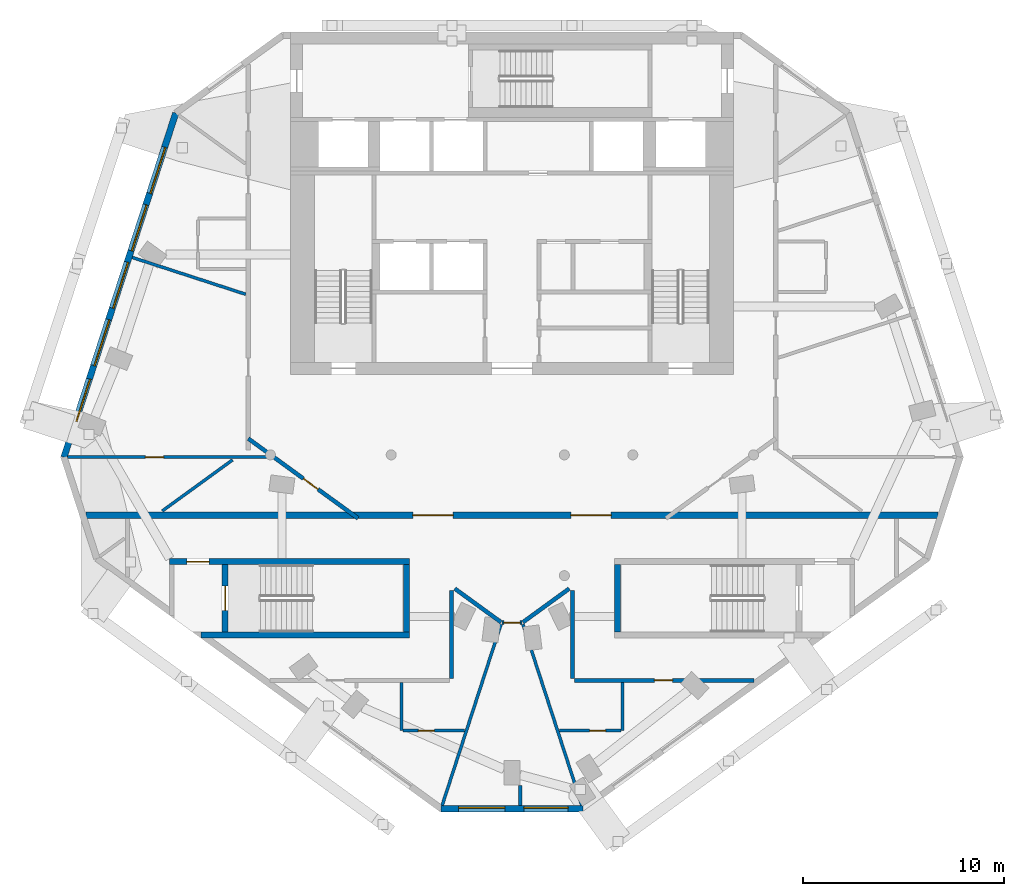
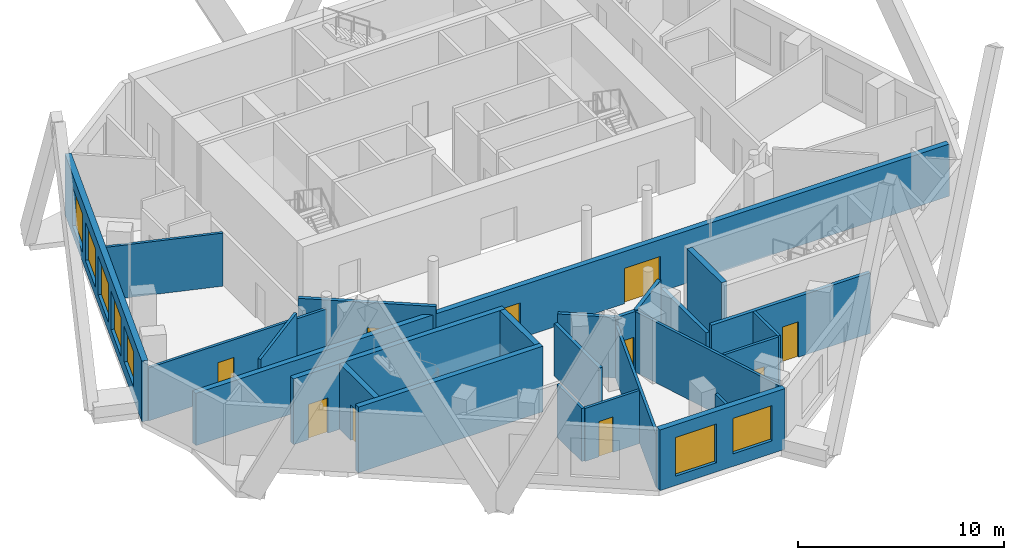
# One storey, part 3 of 8: 25 walls, 10 doors, 7 windows, 17 openings.
"""IFC4 building model written with IfcOpenShell, lengths in metres."""

import ifcopenshell
import ifcopenshell.guid

model = None  # the IFC model being written
_history = None  # IfcOwnerHistory: only IFC2X3 demands one
_inside = {}  # id of a spatial element -> (the spatial element, [elements in it])
_under = {}  # id of a project, library or spatial element -> (it, [spatial elements below it])
_declared = {}  # id of a project -> (the project, [libraries it declares])
_typed = {}  # id of a type object -> (the type object, [elements of that type])
_made_of = {}  # id of a material, layer set ... -> (it, [elements and type objects made of it])


def new_model(schema):
    """Start an empty IFC model of exactly this schema.

    Asked for "IFC4X3", IfcOpenShell would pick the latest addendum, in which some entities
    have other attributes; the version numbers below select the first issue.
    IFC2X3 requires an IfcOwnerHistory on every rooted entity: one is made here for all.
    """
    global model, _history
    if schema == "IFC4X3":
        model = ifcopenshell.file(schema_version=(4, 3, 0, 0))
    else:
        model = ifcopenshell.file(schema=schema)
    _inside.clear()
    _under.clear()
    _declared.clear()
    _typed.clear()
    _made_of.clear()
    _history = None
    if model.schema == "IFC2X3":
        org = make("IfcOrganization", Name="unknown")
        user = make(
            "IfcPersonAndOrganization",
            ThePerson=make("IfcPerson", FamilyName="unknown"),
            TheOrganization=org,
        )
        app = make(
            "IfcApplication",
            ApplicationDeveloper=org,
            Version="unknown",
            ApplicationFullName="unknown",
            ApplicationIdentifier="unknown",
        )
        _history = make(
            "IfcOwnerHistory",
            OwningUser=user,
            OwningApplication=app,
            ChangeAction="ADDED",
            CreationDate=0,
        )
    return model


def make(cls, **values):
    """One entity of the class cls with the attributes given. An attribute that is None is left unset."""
    return model.create_entity(
        cls, **{name: value for name, value in values.items() if value is not None}
    )


def rooted(cls, **values):
    """An entity with a GlobalId (a new one), such as an element, a storey or a relation."""
    return make(cls, GlobalId=ifcopenshell.guid.new(), OwnerHistory=_history, **values)


def si_unit(unit_type, name, prefix=None):
    """IfcSIUnit, for example si_unit("LENGTHUNIT", "METRE", prefix="MILLI")."""
    return make("IfcSIUnit", UnitType=unit_type, Prefix=prefix, Name=name)


def assignment(units):
    """IfcUnitAssignment: the units of a project."""
    return None if units is None else make("IfcUnitAssignment", Units=units)


def point(xyz):
    """IfcCartesianPoint."""
    return None if xyz is None else make("IfcCartesianPoint", Coordinates=xyz)


def direction(xyz):
    """IfcDirection."""
    return None if xyz is None else make("IfcDirection", DirectionRatios=xyz)


def frame(location, z_axis=None, x_axis=None):
    """IfcAxis2Placement3D, a coordinate frame: its origin and axes. An axis left out is left unset."""
    return make(
        "IfcAxis2Placement3D",
        Location=point(location),
        Axis=direction(z_axis),
        RefDirection=direction(x_axis),
    )


def frame_2d(location, x_axis=None):
    """IfcAxis2Placement2D, a coordinate frame in the plane: its origin and x axis."""
    return make(
        "IfcAxis2Placement2D", Location=point(location), RefDirection=direction(x_axis)
    )


def origin():
    """The frame at (0, 0, 0) with its axes left unset."""
    return frame((0.0, 0.0, 0.0))


def place(relative_to, where):
    """IfcLocalPlacement: puts the frame where relative to a parent placement (None: the world)."""
    return make(
        "IfcLocalPlacement", PlacementRelTo=relative_to, RelativePlacement=where
    )


def context(
    kind, dimensions, precision=None, world=None, true_north=None, identifier=None
):
    """IfcGeometricRepresentationContext, for example the 3D "Model" context."""
    return make(
        "IfcGeometricRepresentationContext",
        ContextIdentifier=identifier,
        ContextType=kind,
        CoordinateSpaceDimension=dimensions,
        Precision=precision,
        WorldCoordinateSystem=world,
        TrueNorth=true_north,
    )


def subcontext(parent, identifier, kind, view, scale=None):
    """IfcGeometricRepresentationSubContext, for example "Body" below "Model"."""
    return make(
        "IfcGeometricRepresentationSubContext",
        ContextIdentifier=identifier,
        ContextType=kind,
        ParentContext=parent,
        TargetScale=scale,
        TargetView=view,
    )


def project(units=None, contexts=None):
    """IfcProject with its units and contexts."""
    return rooted(
        "IfcProject",
        Name="project",
        RepresentationContexts=contexts,
        UnitsInContext=assignment(units),
    )


def spatial(cls, under=None, at=None, **own):
    """A site, building, storey or space (cls), placed at a placement, below another one or the project."""
    s = rooted(cls, ObjectPlacement=at, **own)
    if under is not None:
        _under.setdefault(under.id(), (under, []))[1].append(s)
    return s


def profile(cls, at=None, kind="AREA", **sizes):
    """A parametric profile (cls). Its sizes go by their IFC names, for example OverallWidth=200.0."""
    return make(cls, ProfileType=kind, Position=at, **sizes)


def rectangle(**sizes):
    """IfcRectangleProfileDef."""
    return profile("IfcRectangleProfileDef", **sizes)


def extrude(swept, where, along, depth):
    """IfcExtrudedAreaSolid: the profile swept, set in the frame where, extruded along a direction by depth."""
    return make(
        "IfcExtrudedAreaSolid",
        SweptArea=swept,
        Position=where,
        ExtrudedDirection=direction(along),
        Depth=depth,
    )


def shape(context_of_items, identifier, shape_type, items):
    """IfcShapeRepresentation: the items that make up one representation, for example the "Body"."""
    return make(
        "IfcShapeRepresentation",
        ContextOfItems=context_of_items,
        RepresentationIdentifier=identifier,
        RepresentationType=shape_type,
        Items=items,
    )


def material(Name=None, Category=None):
    """IfcMaterial."""
    return make("IfcMaterial", Name=Name, Category=Category)


def layer(
    of_material, thickness, ventilated=None, Name=None, Category=None, Priority=None
):
    """IfcMaterialLayer: one layer of a wall or slab, of a material (None: an air gap)."""
    return make(
        "IfcMaterialLayer",
        Material=of_material,
        LayerThickness=thickness,
        IsVentilated=ventilated,
        Name=Name,
        Category=Category,
        Priority=Priority,
    )


def layer_set(layers, Name=None):
    """IfcMaterialLayerSet."""
    return make("IfcMaterialLayerSet", MaterialLayers=layers, LayerSetName=Name)


def made_of(thing, what):
    """Note that an element or type object is made of a material, layer set ...; save() writes the relation."""
    if what is not None:
        _made_of.setdefault(what.id(), (what, []))[1].append(thing)
    return thing


def type_object(cls, material=None, **own):
    """A type object (cls), such as IfcWallType, which elements share."""
    return made_of(rooted(cls, **own), material)


def element(
    cls,
    number,
    at=None,
    inside=None,
    cuts=None,
    type_object=None,
    material=None,
    context=None,
    identifier="Body",
    shape_type=None,
    held_by="IfcProductDefinitionShape",
    body=None,
    shapes=None,
    **own,
):
    """One element of the class cls, such as IfcWall. Its Tag is "e" and its number.

    at: its placement. inside: the storey or other place that contains it. cuts: it is an
    opening in that element (IfcRelVoidsElement). A single representation is given by context,
    identifier, shape_type and body (its items); several are given by shapes. held_by: the class
    of the entity that holds the representations. save() writes the other relations.
    """
    e = rooted(cls, Tag="e%d" % number, ObjectPlacement=at, **own)
    if body is not None:
        shapes = [shape(context, identifier, shape_type, body)]
    if shapes is not None:
        e.Representation = make(held_by, Representations=shapes)
    if inside is not None:
        _inside.setdefault(inside.id(), (inside, []))[1].append(e)
    if cuts is not None:
        rooted(
            "IfcRelVoidsElement", RelatingBuildingElement=cuts, RelatedOpeningElement=e
        )
    if type_object is not None:
        _typed.setdefault(type_object.id(), (type_object, []))[1].append(e)
    return made_of(e, material)


def fill(opening, filler):
    """IfcRelFillsElement: the door or window that sits in an opening."""
    return rooted(
        "IfcRelFillsElement",
        RelatingOpeningElement=opening,
        RelatedBuildingElement=filler,
    )


def aggregate(whole, parts):
    """IfcRelAggregates: a whole, such as a stair, and the parts it consists of."""
    return rooted("IfcRelAggregates", RelatingObject=whole, RelatedObjects=parts)


def save(model, path):
    """Write the relations noted so far, then the file.

    IfcRelAggregates (storeys below a building ...), IfcRelContainedInSpatialStructure (elements
    in a storey), IfcRelDefinesByType, IfcRelAssociatesMaterial and IfcRelDeclares: one each for
    every whole, place, type object, material and project.
    """
    for whole, parts in _under.values():
        aggregate(whole, parts)
    for where, things in _inside.values():
        rooted(
            "IfcRelContainedInSpatialStructure",
            RelatedElements=things,
            RelatingStructure=where,
        )
    for kind, things in _typed.values():
        rooted("IfcRelDefinesByType", RelatedObjects=things, RelatingType=kind)
    for what, things in _made_of.values():
        rooted("IfcRelAssociatesMaterial", RelatedObjects=things, RelatingMaterial=what)
    for by, libraries in _declared.values():
        rooted("IfcRelDeclares", RelatingContext=by, RelatedDefinitions=libraries)
    model.write(path)


model = new_model("IFC4")

# Units and contexts
model_context = context("Model", 3, precision=1e-05, world=origin(), true_north=direction((0.0, 1.0)))
body_context = subcontext(model_context, "Body", "Model", "MODEL_VIEW")
ifc_project = project(units=[si_unit("LENGTHUNIT", "METRE"), si_unit("AREAUNIT", "SQUARE_METRE"), si_unit("VOLUMEUNIT", "CUBIC_METRE"), si_unit("PLANEANGLEUNIT", "RADIAN"), si_unit("MASSUNIT", "GRAM", prefix="KILO")], contexts=[model_context])

# Site, building, storey
site_placement = place(None, origin())
site = spatial("IfcSite", under=ifc_project, at=site_placement, CompositionType="ELEMENT")
building_placement = place(site_placement, origin())
building = spatial("IfcBuilding", under=site, at=building_placement, Name="White Candle Pilgrim Tower", CompositionType="ELEMENT")
storey_placement = place(building_placement, frame((0.0, 0.0, 306.10009765625)))
storey = spatial("IfcBuildingStorey", under=building, at=storey_placement, Name="L72", CompositionType="ELEMENT", Elevation=306.10009765625)

# Wall, opening, door
ifc_material_1 = material(Name="Gypsum board on steel studs", Category="steel")
ifc_layer_1 = layer(ifc_material_1, 0.199951171875)
ifc_layer_set_1 = layer_set([ifc_layer_1], Name="Corridor wall 200 mm EI 45")
wall_type_1 = type_object("IfcWallType", Name="Corridor wall 200 mm EI 45", PredefinedType="PARTITIONING", material=ifc_layer_set_1)
wall_1_placement = place(storey_placement, frame((62.3486328125, 63.85009765625, 0.0), z_axis=(0.0, 0.0, 1.0), x_axis=(-0.809033820778, 0.587762092038, 0.0)))
wall_1 = element("IfcWall", 1, at=wall_1_placement, inside=storey, type_object=wall_type_1, Name="WL-L72-P003", PredefinedType="PARTITIONING", context=body_context, shape_type="SweptSolid", body=[
    extrude(rectangle(XDim=6.73486328125, YDim=0.199951171875, at=frame_2d((3.367431640625, 0.0))), origin(), (0.0, 0.0, 1.0), 3.599853515625),
])
opening_1_placement = place(wall_1_placement, frame((2.44970703125, 0.0, 0.0)))
opening_1 = element("IfcOpeningElement", 2, at=opening_1_placement, cuts=wall_1, Name="Opening T22-119", PredefinedType="OPENING", context=body_context, shape_type="SweptSolid", body=[
    extrude(rectangle(XDim=0.89990234375, YDim=2.10009765625, at=frame_2d((0.449951171875, 1.050048828125))), frame((0.0, 0.10986328125, 0.0), z_axis=(0.0, -1.0, 0.0), x_axis=(1.0, 0.0, 0.0)), (0.0, 0.0, 1.0), 0.219970703125),
])
ifc_material_2 = material(Name="Steel door leaf", Category="steel")
door_type_1 = type_object("IfcDoorType", Name="Fire door 900 x 2100 EI 30", OperationType="NOTDEFINED", PredefinedType="DOOR", material=ifc_material_2)
door_1_placement = place(opening_1_placement, origin())
door_1 = element("IfcDoor", 3, at=door_1_placement, inside=storey, type_object=door_type_1, Name="Door T22-119", OperationType="SINGLE_SWING_LEFT", OverallHeight=2.10009765625, OverallWidth=0.89990234375, PredefinedType="DOOR", context=body_context, shape_type="SweptSolid", body=[
    extrude(rectangle(XDim=0.89990234375, YDim=2.10009765625, at=frame_2d((0.449951171875, 1.050048828125))), frame((0.0, 0.02490234375, 0.0), z_axis=(0.0, -1.0, 0.0), x_axis=(1.0, 0.0, 0.0)), (0.0, 0.0, 1.0), 0.050048828125),
])
fill(opening_1, door_1)

wall_2_placement = place(storey_placement, frame((82.019287109375, 55.800048828125, 0.0), z_axis=(0.0, 0.0, 1.0), x_axis=(-1.0, 0.0, 0.0)))
wall_2 = element("IfcWall", 4, at=wall_2_placement, inside=storey, type_object=wall_type_1, Name="WL-L72-P008", PredefinedType="PARTITIONING", context=body_context, shape_type="SweptSolid", body=[
    extrude(rectangle(XDim=8.919189453125, YDim=0.199951171875, at=frame_2d((4.45947265625, 0.0))), origin(), (0.0, 0.0, 1.0), 3.599853515625),
])
opening_2_placement = place(wall_2_placement, frame((4.0419921875, 0.0, 0.0)))
opening_2 = element("IfcOpeningElement", 5, at=opening_2_placement, cuts=wall_2, Name="Opening T22-106", PredefinedType="OPENING", context=body_context, shape_type="SweptSolid", body=[
    extrude(rectangle(XDim=0.89990234375, YDim=2.10009765625, at=frame_2d((0.449951171875, 1.050048828125))), frame((0.0, 0.10986328125, 0.0), z_axis=(0.0, -1.0, 0.0), x_axis=(1.0, 0.0, 0.0)), (0.0, 0.0, 1.0), 0.219970703125),
])
door_2_placement = place(opening_2_placement, origin())
door_2 = element("IfcDoor", 6, at=door_2_placement, inside=storey, type_object=door_type_1, Name="Door T22-106", OperationType="SINGLE_SWING_RIGHT", OverallHeight=2.10009765625, OverallWidth=0.89990234375, PredefinedType="DOOR", context=body_context, shape_type="SweptSolid", body=[
    extrude(rectangle(XDim=0.89990234375, YDim=2.10009765625, at=frame_2d((0.449951171875, 1.050048828125))), frame((0.0, 0.02490234375, 0.0), z_axis=(0.0, -1.0, 0.0), x_axis=(1.0, 0.0, 0.0)), (0.0, 0.0, 1.0), 0.050048828125),
])
fill(opening_2, door_2)

# Walls
wall_3_placement = place(storey_placement, frame((73.0, 55.89990234375, 0.0), z_axis=(0.0, 0.0, 1.0), x_axis=(0.0, 1.0, 0.0)))
element("IfcWall", 7, at=wall_3_placement, inside=storey, type_object=wall_type_1, Name="WL-L72-P009", PredefinedType="PARTITIONING", context=body_context, shape_type="SweptSolid", body=[
    extrude(rectangle(XDim=4.37451171875, YDim=0.199951171875, at=frame_2d((2.187255859375, 0.0))), origin(), (0.0, 0.0, 1.0), 3.099853515625),
])
wall_4_placement = place(storey_placement, frame((72.84130859375, 60.355224609375, 0.0), z_axis=(0.0, 0.0, 1.0), x_axis=(-0.80904479074, -0.587746991976, 0.0)))
element("IfcWall", 8, at=wall_4_placement, inside=storey, type_object=wall_type_1, Name="WL-L72-P010", PredefinedType="PARTITIONING", context=body_context, shape_type="SweptSolid", body=[
    extrude(rectangle(XDim=2.83740234375, YDim=0.199951171875, at=frame_2d((1.418701171875, 0.0))), origin(), (0.0, 0.0, 1.0), 3.599853515625),
])

# Wall, opening, door
wall_5_placement = place(storey_placement, frame((70.48681640625, 58.668212890625, 0.0), z_axis=(0.0, 0.0, 1.0), x_axis=(-1.0, 0.0, 0.0)))
wall_5 = element("IfcWall", 9, at=wall_5_placement, inside=storey, type_object=wall_type_1, Name="WL-L72-P011", PredefinedType="PARTITIONING", context=body_context, shape_type="SweptSolid", body=[
    extrude(rectangle(XDim=0.9736328125, YDim=0.199951171875, at=frame_2d((0.48681640625, 0.0))), origin(), (0.0, 0.0, 1.0), 3.599853515625),
])
opening_3_placement = place(wall_5_placement, frame((0.0869140625, 0.0, 0.0)))
opening_3 = element("IfcOpeningElement", 10, at=opening_3_placement, cuts=wall_5, Name="Opening T22-104", PredefinedType="OPENING", context=body_context, shape_type="SweptSolid", body=[
    extrude(rectangle(XDim=0.800048828125, YDim=2.10009765625, at=frame_2d((0.39990234375, 1.050048828125))), frame((0.0, 0.10986328125, 0.0), z_axis=(0.0, -1.0, 0.0), x_axis=(1.0, 0.0, 0.0)), (0.0, 0.0, 1.0), 0.219970703125),
])
door_type_2 = type_object("IfcDoorType", Name="Fire door 800 x 2100 EI 30", OperationType="NOTDEFINED", PredefinedType="DOOR", material=ifc_material_2)
door_3_placement = place(opening_3_placement, origin())
door_3 = element("IfcDoor", 11, at=door_3_placement, inside=storey, type_object=door_type_2, Name="Door T22-104", OperationType="SINGLE_SWING_RIGHT", OverallHeight=2.10009765625, OverallWidth=0.800048828125, PredefinedType="DOOR", context=body_context, shape_type="SweptSolid", body=[
    extrude(rectangle(XDim=0.800048828125, YDim=2.10009765625, at=frame_2d((0.39990234375, 1.050048828125))), frame((0.0, 0.02490234375, 0.0), z_axis=(0.0, -1.0, 0.0), x_axis=(1.0, 0.0, 0.0)), (0.0, 0.0, 1.0), 0.050048828125),
])
fill(opening_3, door_3)

# Walls
wall_6_placement = place(storey_placement, frame((69.454345703125, 58.6875, 0.0), z_axis=(0.0, 0.0, 1.0), x_axis=(-0.80904479074, 0.587746991976, 0.0)))
element("IfcWall", 12, at=wall_6_placement, inside=storey, type_object=wall_type_1, Name="WL-L72-P012", PredefinedType="PARTITIONING", context=body_context, shape_type="SweptSolid", body=[
    extrude(rectangle(XDim=2.83740234375, YDim=0.199951171875, at=frame_2d((1.418701171875, 0.0))), origin(), (0.0, 0.0, 1.0), 3.599853515625),
])
wall_7_placement = place(storey_placement, frame((67.0, 60.2744140625, 0.0), z_axis=(0.0, 0.0, 1.0), x_axis=(0.0, -1.0, 0.0)))
element("IfcWall", 13, at=wall_7_placement, inside=storey, type_object=wall_type_1, Name="WL-L72-P013", PredefinedType="PARTITIONING", context=body_context, shape_type="SweptSolid", body=[
    extrude(rectangle(XDim=4.37451171875, YDim=0.199951171875, at=frame_2d((2.187255859375, 0.0))), origin(), (0.0, 0.0, 1.0), 3.099853515625),
])

# Wall, openings, windows
ifc_material_3 = material(Name="Precast concrete C40/50", Category="concrete")
ifc_layer_2 = layer(ifc_material_3, 0.320068359375)
ifc_layer_set_2 = layer_set([ifc_layer_2], Name="Facade wall EW1 precast concrete C40/50 pier wall with timber-lined reveals")
wall_type_2 = type_object("IfcWallType", Name="Facade wall EW1 precast concrete C40/50 pier wall with timber-lined reveals", PredefinedType="SOLIDWALL", material=ifc_layer_set_2)
wall_8_placement = place(storey_placement, frame((66.478515625, 49.42822265625, 0.0), z_axis=(0.0, 0.0, 1.0), x_axis=(1.0, 0.0, 0.0)))
wall_8 = element("IfcWall", 14, at=wall_8_placement, inside=storey, type_object=wall_type_2, Name="Facade wall L72 S chamfer", PredefinedType="SOLIDWALL", context=body_context, shape_type="SweptSolid", body=[
    extrude(rectangle(XDim=7.04296875, YDim=0.320068359375, at=frame_2d((3.521484375, 0.0))), origin(), (0.0, 0.0, 1.0), 3.599853515625),
])
opening_4_placement = place(wall_8_placement, frame((0.87158203125, 0.0, 0.550048828125)))
opening_4 = element("IfcOpeningElement", 15, at=opening_4_placement, cuts=wall_8, Name="Opening W6", PredefinedType="OPENING", context=body_context, shape_type="SweptSolid", body=[
    extrude(rectangle(XDim=2.300048828125, YDim=2.300048828125, at=frame_2d((1.14990234375, 1.14990234375))), frame((0.0, 0.169921875, 0.0), z_axis=(0.0, -1.0, 0.0), x_axis=(1.0, 0.0, 0.0)), (0.0, 0.0, 1.0), 0.340087890625),
])
opening_5_placement = place(wall_8_placement, frame((4.106689453125, 0.0, 0.75)))
opening_5 = element("IfcOpeningElement", 16, at=opening_5_placement, cuts=wall_8, Name="Opening W4", PredefinedType="OPENING", context=body_context, shape_type="SweptSolid", body=[
    extrude(rectangle(XDim=2.199951171875, YDim=2.10009765625, at=frame_2d((1.10009765625, 1.050048828125))), frame((0.0, 0.169921875, 0.0), z_axis=(0.0, -1.0, 0.0), x_axis=(1.0, 0.0, 0.0)), (0.0, 0.0, 1.0), 0.340087890625),
])
ifc_material_4 = material(Name="Timber frame with triple glazing", Category="wood")
window_type_1 = type_object("IfcWindowType", Name="Window W4 2200x2100 timber frame triple glazing", PartitioningType="SINGLE_PANEL", PredefinedType="WINDOW", material=ifc_material_4)
window_1_placement = place(opening_5_placement, origin())
window_1 = element("IfcWindow", 17, at=window_1_placement, inside=storey, type_object=window_type_1, Name="Window W4 L72 S chamfer 2", OverallHeight=2.10009765625, OverallWidth=2.199951171875, PartitioningType="SINGLE_PANEL", PredefinedType="WINDOW", context=body_context, shape_type="SweptSolid", body=[
    extrude(rectangle(XDim=2.199951171875, YDim=2.10009765625, at=frame_2d((1.10009765625, 1.050048828125))), frame((0.0, 0.070068359375, 0.0), z_axis=(0.0, -1.0, 0.0), x_axis=(1.0, 0.0, 0.0)), (0.0, 0.0, 1.0), 0.06005859375),
])
fill(opening_5, window_1)
window_type_2 = type_object("IfcWindowType", Name="Window W6 2300x2300 timber frame triple glazing", PartitioningType="SINGLE_PANEL", PredefinedType="WINDOW", material=ifc_material_4)
window_2_placement = place(opening_4_placement, origin())
window_2 = element("IfcWindow", 18, at=window_2_placement, inside=storey, type_object=window_type_2, Name="Window W6 L72 S chamfer 1", OverallHeight=2.300048828125, OverallWidth=2.300048828125, PartitioningType="SINGLE_PANEL", PredefinedType="WINDOW", context=body_context, shape_type="SweptSolid", body=[
    extrude(rectangle(XDim=2.300048828125, YDim=2.300048828125, at=frame_2d((1.14990234375, 1.14990234375))), frame((0.0, 0.070068359375, 0.0), z_axis=(0.0, -1.0, 0.0), x_axis=(1.0, 0.0, 0.0)), (0.0, 0.0, 1.0), 0.06005859375),
])
fill(opening_4, window_2)

wall_9_placement = place(storey_placement, frame((53.298095703125, 83.97705078125, 0.0), z_axis=(0.0, 0.0, 1.0), x_axis=(-0.309017883781, -0.951056227309, 0.0)))
wall_9 = element("IfcWall", 19, at=wall_9_placement, inside=storey, type_object=wall_type_2, Name="Facade wall L72 WNW", PredefinedType="SOLIDWALL", context=body_context, shape_type="SweptSolid", body=[
    extrude(rectangle(XDim=17.972900390625, YDim=0.320068359375, at=frame_2d((8.986328125, 0.0))), origin(), (0.0, 0.0, 1.0), 3.599853515625),
])
opening_6_placement = place(wall_9_placement, frame((1.78662109375, 0.0, 0.550048828125)))
opening_6 = element("IfcOpeningElement", 20, at=opening_6_placement, cuts=wall_9, Name="Opening W5", PredefinedType="OPENING", context=body_context, shape_type="SweptSolid", body=[
    extrude(rectangle(XDim=2.39990234375, YDim=2.300048828125, at=frame_2d((1.199951171875, 1.14990234375))), frame((0.0, 0.169921875, 0.0), z_axis=(0.0, -1.0, 0.0), x_axis=(1.0, 0.0, 0.0)), (0.0, 0.0, 1.0), 0.340087890625),
])
opening_7_placement = place(wall_9_placement, frame((4.78662109375, 0.0, 0.550048828125)))
opening_7 = element("IfcOpeningElement", 21, at=opening_7_placement, cuts=wall_9, Name="Opening W5", PredefinedType="OPENING", context=body_context, shape_type="SweptSolid", body=[
    extrude(rectangle(XDim=2.39990234375, YDim=2.300048828125, at=frame_2d((1.199951171875, 1.14990234375))), frame((0.0, 0.169921875, 0.0), z_axis=(0.0, -1.0, 0.0), x_axis=(1.0, 0.0, 0.0)), (0.0, 0.0, 1.0), 0.340087890625),
])
opening_8_placement = place(wall_9_placement, frame((7.78662109375, 0.0, 0.550048828125)))
opening_8 = element("IfcOpeningElement", 22, at=opening_8_placement, cuts=wall_9, Name="Opening W5", PredefinedType="OPENING", context=body_context, shape_type="SweptSolid", body=[
    extrude(rectangle(XDim=2.39990234375, YDim=2.300048828125, at=frame_2d((1.199951171875, 1.14990234375))), frame((0.0, 0.169921875, 0.0), z_axis=(0.0, -1.0, 0.0), x_axis=(1.0, 0.0, 0.0)), (0.0, 0.0, 1.0), 0.340087890625),
])
opening_9_placement = place(wall_9_placement, frame((10.78662109375, 0.0, 0.550048828125)))
opening_9 = element("IfcOpeningElement", 23, at=opening_9_placement, cuts=wall_9, Name="Opening W5", PredefinedType="OPENING", context=body_context, shape_type="SweptSolid", body=[
    extrude(rectangle(XDim=2.39990234375, YDim=2.300048828125, at=frame_2d((1.199951171875, 1.14990234375))), frame((0.0, 0.169921875, 0.0), z_axis=(0.0, -1.0, 0.0), x_axis=(1.0, 0.0, 0.0)), (0.0, 0.0, 1.0), 0.340087890625),
])
opening_10_placement = place(wall_9_placement, frame((13.886474609375, 0.0, 0.75)))
opening_10 = element("IfcOpeningElement", 24, at=opening_10_placement, cuts=wall_9, Name="Opening W4", PredefinedType="OPENING", context=body_context, shape_type="SweptSolid", body=[
    extrude(rectangle(XDim=2.199951171875, YDim=2.10009765625, at=frame_2d((1.10009765625, 1.050048828125))), frame((0.0, 0.169921875, 0.0), z_axis=(0.0, -1.0, 0.0), x_axis=(1.0, 0.0, 0.0)), (0.0, 0.0, 1.0), 0.340087890625),
])
window_3_placement = place(opening_10_placement, origin())
window_3 = element("IfcWindow", 25, at=window_3_placement, inside=storey, type_object=window_type_1, Name="Window W4 L72 WNW 5", OverallHeight=2.10009765625, OverallWidth=2.199951171875, PartitioningType="SINGLE_PANEL", PredefinedType="WINDOW", context=body_context, shape_type="SweptSolid", body=[
    extrude(rectangle(XDim=2.199951171875, YDim=2.10009765625, at=frame_2d((1.10009765625, 1.050048828125))), frame((0.0, 0.070068359375, 0.0), z_axis=(0.0, -1.0, 0.0), x_axis=(1.0, 0.0, 0.0)), (0.0, 0.0, 1.0), 0.06005859375),
])
fill(opening_10, window_3)
window_type_3 = type_object("IfcWindowType", Name="Window W5 2400x2300 timber frame triple glazing", PartitioningType="SINGLE_PANEL", PredefinedType="WINDOW", material=ifc_material_4)
window_4_placement = place(opening_6_placement, origin())
window_4 = element("IfcWindow", 26, at=window_4_placement, inside=storey, type_object=window_type_3, Name="Window W5 L72 WNW 1", OverallHeight=2.300048828125, OverallWidth=2.39990234375, PartitioningType="SINGLE_PANEL", PredefinedType="WINDOW", context=body_context, shape_type="SweptSolid", body=[
    extrude(rectangle(XDim=2.39990234375, YDim=2.300048828125, at=frame_2d((1.199951171875, 1.14990234375))), frame((0.0, 0.070068359375, 0.0), z_axis=(0.0, -1.0, 0.0), x_axis=(1.0, 0.0, 0.0)), (0.0, 0.0, 1.0), 0.06005859375),
])
fill(opening_6, window_4)
window_5_placement = place(opening_7_placement, origin())
window_5 = element("IfcWindow", 27, at=window_5_placement, inside=storey, type_object=window_type_3, Name="Window W5 L72 WNW 2", OverallHeight=2.300048828125, OverallWidth=2.39990234375, PartitioningType="SINGLE_PANEL", PredefinedType="WINDOW", context=body_context, shape_type="SweptSolid", body=[
    extrude(rectangle(XDim=2.39990234375, YDim=2.300048828125, at=frame_2d((1.199951171875, 1.14990234375))), frame((0.0, 0.070068359375, 0.0), z_axis=(0.0, -1.0, 0.0), x_axis=(1.0, 0.0, 0.0)), (0.0, 0.0, 1.0), 0.06005859375),
])
fill(opening_7, window_5)
window_6_placement = place(opening_8_placement, origin())
window_6 = element("IfcWindow", 28, at=window_6_placement, inside=storey, type_object=window_type_3, Name="Window W5 L72 WNW 3", OverallHeight=2.300048828125, OverallWidth=2.39990234375, PartitioningType="SINGLE_PANEL", PredefinedType="WINDOW", context=body_context, shape_type="SweptSolid", body=[
    extrude(rectangle(XDim=2.39990234375, YDim=2.300048828125, at=frame_2d((1.199951171875, 1.14990234375))), frame((0.0, 0.070068359375, 0.0), z_axis=(0.0, -1.0, 0.0), x_axis=(1.0, 0.0, 0.0)), (0.0, 0.0, 1.0), 0.06005859375),
])
fill(opening_8, window_6)
window_7_placement = place(opening_9_placement, origin())
window_7 = element("IfcWindow", 29, at=window_7_placement, inside=storey, type_object=window_type_3, Name="Window W5 L72 WNW 4", OverallHeight=2.300048828125, OverallWidth=2.39990234375, PartitioningType="SINGLE_PANEL", PredefinedType="WINDOW", context=body_context, shape_type="SweptSolid", body=[
    extrude(rectangle(XDim=2.39990234375, YDim=2.300048828125, at=frame_2d((1.199951171875, 1.14990234375))), frame((0.0, 0.070068359375, 0.0), z_axis=(0.0, -1.0, 0.0), x_axis=(1.0, 0.0, 0.0)), (0.0, 0.0, 1.0), 0.06005859375),
])
fill(opening_9, window_7)

# Wall, openings, doors
ifc_material_5 = material(Name="Aerated concrete block", Category="concrete")
ifc_layer_3 = layer(ifc_material_5, 0.300048828125)
ifc_layer_set_3 = layer_set([ifc_layer_3], Name="Fire wall 300 mm REI 240")
wall_type_3 = type_object("IfcWallType", Name="Fire wall 300 mm REI 240", PredefinedType="PARTITIONING", material=ifc_layer_set_3)
wall_10_placement = place(storey_placement, frame((48.849609375, 64.0, 0.0), z_axis=(0.0, 0.0, 1.0), x_axis=(1.0, 0.0, 0.0)))
wall_10 = element("IfcWall", 30, at=wall_10_placement, inside=storey, type_object=wall_type_3, Name="WL-L72-P001", PredefinedType="PARTITIONING", context=body_context, shape_type="SweptSolid", body=[
    extrude(rectangle(XDim=42.30078125, YDim=0.300048828125, at=frame_2d((21.150390625, 0.0))), origin(), (0.0, 0.0, 1.0), 3.099853515625),
])
opening_11_placement = place(wall_10_placement, frame((16.2216796875, 0.0, 0.0)))
opening_11 = element("IfcOpeningElement", 31, at=opening_11_placement, cuts=wall_10, Name="Opening T22-108", PredefinedType="OPENING", context=body_context, shape_type="SweptSolid", body=[
    extrude(rectangle(XDim=2.0, YDim=2.10009765625, at=frame_2d((1.0, 1.050048828125))), frame((0.0, 0.159912109375, 0.0), z_axis=(0.0, -1.0, 0.0), x_axis=(1.0, 0.0, 0.0)), (0.0, 0.0, 1.0), 0.320068359375),
])
opening_12_placement = place(wall_10_placement, frame((24.079345703125, 0.0, 0.0)))
opening_12 = element("IfcOpeningElement", 32, at=opening_12_placement, cuts=wall_10, Name="Opening T22-109", PredefinedType="OPENING", context=body_context, shape_type="SweptSolid", body=[
    extrude(rectangle(XDim=2.0, YDim=2.10009765625, at=frame_2d((1.0, 1.050048828125))), frame((0.0, 0.159912109375, 0.0), z_axis=(0.0, -1.0, 0.0), x_axis=(1.0, 0.0, 0.0)), (0.0, 0.0, 1.0), 0.320068359375),
])
door_type_3 = type_object("IfcDoorType", Name="Fire door 2000 x 2100 EI 60", OperationType="NOTDEFINED", PredefinedType="DOOR", material=ifc_material_2)
door_4_placement = place(opening_11_placement, origin())
door_4 = element("IfcDoor", 33, at=door_4_placement, inside=storey, type_object=door_type_3, Name="Door T22-108", OperationType="DOUBLE_DOOR_SINGLE_SWING", OverallHeight=2.10009765625, OverallWidth=2.0, PredefinedType="DOOR", context=body_context, shape_type="SweptSolid", body=[
    extrude(rectangle(XDim=2.0, YDim=2.10009765625, at=frame_2d((1.0, 1.050048828125))), frame((0.0, 0.02490234375, 0.0), z_axis=(0.0, -1.0, 0.0), x_axis=(1.0, 0.0, 0.0)), (0.0, 0.0, 1.0), 0.050048828125),
])
fill(opening_11, door_4)
door_5_placement = place(opening_12_placement, origin())
door_5 = element("IfcDoor", 34, at=door_5_placement, inside=storey, type_object=door_type_3, Name="Door T22-109", OperationType="DOUBLE_DOOR_SINGLE_SWING", OverallHeight=2.10009765625, OverallWidth=2.0, PredefinedType="DOOR", context=body_context, shape_type="SweptSolid", body=[
    extrude(rectangle(XDim=2.0, YDim=2.10009765625, at=frame_2d((1.0, 1.050048828125))), frame((0.0, 0.02490234375, 0.0), z_axis=(0.0, -1.0, 0.0), x_axis=(1.0, 0.0, 0.0)), (0.0, 0.0, 1.0), 0.050048828125),
])
fill(opening_12, door_5)

# Wall, opening, door
ifc_layer_4 = layer(ifc_material_1, 0.14990234375)
ifc_layer_set_4 = layer_set([ifc_layer_4], Name="Partition 150 mm EI 60")
wall_type_4 = type_object("IfcWallType", Name="Partition 150 mm EI 60", PredefinedType="PARTITIONING", material=ifc_layer_set_4)
wall_11_placement = place(storey_placement, frame((47.91259765625, 66.8837890625, 0.0), z_axis=(0.0, 0.0, 1.0), x_axis=(1.0, 0.0, 0.0)))
wall_11 = element("IfcWall", 35, at=wall_11_placement, inside=storey, type_object=wall_type_4, Name="WL-L72-P016", PredefinedType="PARTITIONING", context=body_context, shape_type="SweptSolid", body=[
    extrude(rectangle(XDim=9.987060546875, YDim=0.14990234375, at=frame_2d((4.99365234375, 0.0))), origin(), (0.0, 0.0, 1.0), 3.14990234375),
])
opening_13_placement = place(wall_11_placement, frame((3.8798828125, 0.0, 0.0)))
opening_13 = element("IfcOpeningElement", 36, at=opening_13_placement, cuts=wall_11, Name="Opening T22-120", PredefinedType="OPENING", context=body_context, shape_type="SweptSolid", body=[
    extrude(rectangle(XDim=0.89990234375, YDim=2.10009765625, at=frame_2d((0.449951171875, 1.050048828125))), frame((0.0, 0.0849609375, 0.0), z_axis=(0.0, -1.0, 0.0), x_axis=(1.0, 0.0, 0.0)), (0.0, 0.0, 1.0), 0.169921875),
])
door_6_placement = place(opening_13_placement, frame((0.89990234375, 0.0, 0.0), z_axis=(0.0, 0.0, 1.0), x_axis=(-1.0, 0.0, 0.0)))
door_6 = element("IfcDoor", 37, at=door_6_placement, inside=storey, type_object=door_type_1, Name="Door T22-120", OperationType="SINGLE_SWING_LEFT", OverallHeight=2.10009765625, OverallWidth=0.89990234375, PredefinedType="DOOR", context=body_context, shape_type="SweptSolid", body=[
    extrude(rectangle(XDim=0.89990234375, YDim=2.10009765625, at=frame_2d((0.449951171875, 1.050048828125))), frame((0.0, 0.02490234375, 0.0), z_axis=(0.0, -1.0, 0.0), x_axis=(1.0, 0.0, 0.0)), (0.0, 0.0, 1.0), 0.050048828125),
])
fill(opening_13, door_6)

# Walls
wall_12_placement = place(storey_placement, frame((52.62646484375, 64.210693359375, 0.0), z_axis=(0.0, 0.0, 1.0), x_axis=(0.809014773285, 0.587788309348, 0.0)))
element("IfcWall", 38, at=wall_12_placement, inside=storey, type_object=wall_type_4, Name="WL-L72-P018", PredefinedType="PARTITIONING", context=body_context, shape_type="SweptSolid", body=[
    extrude(rectangle(XDim=4.317138671875, YDim=0.14990234375, at=frame_2d((2.15869140625, 0.0))), origin(), (0.0, 0.0, 1.0), 3.599853515625),
])
wall_13_placement = place(storey_placement, frame((66.530517578125, 49.58837890625, 0.0), z_axis=(0.0, 0.0, 1.0), x_axis=(0.3090043917, 0.95106061106, 0.0)))
element("IfcWall", 39, at=wall_13_placement, inside=storey, type_object=wall_type_4, Name="WL-L72-P019", PredefinedType="PARTITIONING", context=body_context, shape_type="SweptSolid", body=[
    extrude(rectangle(XDim=9.462158203125, YDim=0.14990234375, at=frame_2d((4.73095703125, 0.0))), origin(), (0.0, 0.0, 1.0), 3.14990234375),
])
wall_14_placement = place(storey_placement, frame((73.469482421875, 49.58837890625, 0.0), z_axis=(0.0, 0.0, 1.0), x_axis=(-0.3090043917, 0.95106061106, 0.0)))
element("IfcWall", 40, at=wall_14_placement, inside=storey, type_object=wall_type_4, Name="WL-L72-P020", PredefinedType="PARTITIONING", context=body_context, shape_type="SweptSolid", body=[
    extrude(rectangle(XDim=9.462158203125, YDim=0.14990234375, at=frame_2d((4.73095703125, 0.0))), origin(), (0.0, 0.0, 1.0), 3.599853515625),
])
wall_15_placement = place(storey_placement, frame((51.136962890625, 76.8076171875, 0.0), z_axis=(0.0, 0.0, 1.0), x_axis=(0.951056152135, -0.309018115143, 0.0)))
element("IfcWall", 41, at=wall_15_placement, inside=storey, type_object=wall_type_4, Name="WL-L72-P025", PredefinedType="PARTITIONING", context=body_context, shape_type="SweptSolid", body=[
    extrude(rectangle(XDim=5.93017578125, YDim=0.14990234375, at=frame_2d((2.965087890625, 0.0))), origin(), (0.0, 0.0, 1.0), 3.14990234375),
])
wall_16_placement = place(storey_placement, frame((64.5, 55.699951171875, 0.0), z_axis=(0.0, 0.0, 1.0), x_axis=(0.0, -1.0, 0.0)))
element("IfcWall", 42, at=wall_16_placement, inside=storey, type_object=wall_type_4, Name="WL-L72-P029", PredefinedType="PARTITIONING", context=body_context, shape_type="SweptSolid", body=[
    extrude(rectangle(XDim=2.39990234375, YDim=0.14990234375, at=frame_2d((1.199951171875, 0.0))), origin(), (0.0, 0.0, 1.0), 3.14990234375),
])

# Wall, opening, door
wall_17_placement = place(storey_placement, frame((67.63330078125, 53.300048828125, 0.0), z_axis=(0.0, 0.0, 1.0), x_axis=(-1.0, 0.0, 0.0)))
wall_17 = element("IfcWall", 43, at=wall_17_placement, inside=storey, type_object=wall_type_4, Name="WL-L72-P030", PredefinedType="PARTITIONING", context=body_context, shape_type="SweptSolid", body=[
    extrude(rectangle(XDim=3.058349609375, YDim=0.14990234375, at=frame_2d((1.529296875, 0.0))), origin(), (0.0, 0.0, 1.0), 3.14990234375),
])
opening_14_placement = place(wall_17_placement, frame((1.483154296875, 0.0, 0.0)))
opening_14 = element("IfcOpeningElement", 44, at=opening_14_placement, cuts=wall_17, Name="Opening T22-102", PredefinedType="OPENING", context=body_context, shape_type="SweptSolid", body=[
    extrude(rectangle(XDim=0.800048828125, YDim=2.10009765625, at=frame_2d((0.39990234375, 1.050048828125))), frame((0.0, 0.0849609375, 0.0), z_axis=(0.0, -1.0, 0.0), x_axis=(1.0, 0.0, 0.0)), (0.0, 0.0, 1.0), 0.169921875),
])
door_7_placement = place(opening_14_placement, origin())
door_7 = element("IfcDoor", 45, at=door_7_placement, inside=storey, type_object=door_type_2, Name="Door T22-102", OperationType="SINGLE_SWING_RIGHT", OverallHeight=2.10009765625, OverallWidth=0.800048828125, PredefinedType="DOOR", context=body_context, shape_type="SweptSolid", body=[
    extrude(rectangle(XDim=0.800048828125, YDim=2.10009765625, at=frame_2d((0.39990234375, 1.050048828125))), frame((0.0, 0.02490234375, 0.0), z_axis=(0.0, -1.0, 0.0), x_axis=(1.0, 0.0, 0.0)), (0.0, 0.0, 1.0), 0.050048828125),
])
fill(opening_14, door_7)

# Wall
wall_18_placement = place(storey_placement, frame((75.5, 55.699951171875, 0.0), z_axis=(0.0, 0.0, 1.0), x_axis=(0.0, -1.0, 0.0)))
element("IfcWall", 46, at=wall_18_placement, inside=storey, type_object=wall_type_4, Name="WL-L72-P031", PredefinedType="PARTITIONING", context=body_context, shape_type="SweptSolid", body=[
    extrude(rectangle(XDim=2.39990234375, YDim=0.14990234375, at=frame_2d((1.199951171875, 0.0))), origin(), (0.0, 0.0, 1.0), 3.599853515625),
])

# Wall, opening, door
wall_19_placement = place(storey_placement, frame((72.36669921875, 53.300048828125, 0.0), z_axis=(0.0, 0.0, 1.0), x_axis=(1.0, 0.0, 0.0)))
wall_19 = element("IfcWall", 47, at=wall_19_placement, inside=storey, type_object=wall_type_4, Name="WL-L72-P032", PredefinedType="PARTITIONING", context=body_context, shape_type="SweptSolid", body=[
    extrude(rectangle(XDim=3.058349609375, YDim=0.14990234375, at=frame_2d((1.529296875, 0.0))), origin(), (0.0, 0.0, 1.0), 3.599853515625),
])
opening_15_placement = place(wall_19_placement, frame((1.483154296875, 0.0, 0.0)))
opening_15 = element("IfcOpeningElement", 48, at=opening_15_placement, cuts=wall_19, Name="Opening T22-105", PredefinedType="OPENING", context=body_context, shape_type="SweptSolid", body=[
    extrude(rectangle(XDim=0.800048828125, YDim=2.10009765625, at=frame_2d((0.39990234375, 1.050048828125))), frame((0.0, 0.0849609375, 0.0), z_axis=(0.0, -1.0, 0.0), x_axis=(1.0, 0.0, 0.0)), (0.0, 0.0, 1.0), 0.169921875),
])
door_8_placement = place(opening_15_placement, frame((0.800048828125, 0.0, 0.0), z_axis=(0.0, 0.0, 1.0), x_axis=(-1.0, 0.0, 0.0)))
door_8 = element("IfcDoor", 49, at=door_8_placement, inside=storey, type_object=door_type_2, Name="Door T22-105", OperationType="SINGLE_SWING_RIGHT", OverallHeight=2.10009765625, OverallWidth=0.800048828125, PredefinedType="DOOR", context=body_context, shape_type="SweptSolid", body=[
    extrude(rectangle(XDim=0.800048828125, YDim=2.10009765625, at=frame_2d((0.39990234375, 1.050048828125))), frame((0.0, 0.02490234375, 0.0), z_axis=(0.0, -1.0, 0.0), x_axis=(1.0, 0.0, 0.0)), (0.0, 0.0, 1.0), 0.050048828125),
])
fill(opening_15, door_8)

# Walls
wall_20_placement = place(storey_placement, frame((70.409912109375, 50.580078125, 0.0), z_axis=(0.0, 0.0, 1.0), x_axis=(0.0, -1.0, 0.0)))
element("IfcWall", 50, at=wall_20_placement, inside=storey, type_object=wall_type_4, Name="WL-L72-P039", PredefinedType="PARTITIONING", context=body_context, shape_type="SweptSolid", body=[
    extrude(rectangle(XDim=0.99169921875, YDim=0.14990234375, at=frame_2d((0.495849609375, 0.0))), origin(), (0.0, 0.0, 1.0), 3.599853515625),
])
ifc_material_6 = material(Name="Concrete C40/50", Category="concrete")
ifc_layer_5 = layer(ifc_material_6, 0.300048828125)
ifc_layer_set_5 = layer_set([ifc_layer_5], Name="Stair shaft wall 300 mm Concrete C40/50")
wall_type_5 = type_object("IfcWallType", Name="Stair shaft wall 300 mm Concrete C40/50", PredefinedType="SHEAR", material=ifc_layer_set_5)
wall_21_placement = place(storey_placement, frame((54.5458984375, 58.050048828125, 0.0), z_axis=(0.0, 0.0, 1.0), x_axis=(1.0, 0.0, 0.0)))
element("IfcWall", 51, at=wall_21_placement, inside=storey, type_object=wall_type_5, Name="WL-L72-C01", PredefinedType="SHEAR", context=body_context, shape_type="SweptSolid", body=[
    extrude(rectangle(XDim=10.35400390625, YDim=0.300048828125, at=frame_2d((5.177001953125, 0.0))), origin(), (0.0, 0.0, 1.0), 3.89990234375),
])

# Wall, opening, door
wall_22_placement = place(storey_placement, frame((55.75, 58.199951171875, 0.0), z_axis=(0.0, 0.0, 1.0), x_axis=(0.0, 1.0, 0.0)))
wall_22 = element("IfcWall", 52, at=wall_22_placement, inside=storey, type_object=wall_type_5, Name="WL-L72-C03", PredefinedType="SHEAR", context=body_context, shape_type="SweptSolid", body=[
    extrude(rectangle(XDim=3.35009765625, YDim=0.300048828125, at=frame_2d((1.675048828125, 0.0))), origin(), (0.0, 0.0, 1.0), 3.89990234375),
])
opening_16_placement = place(wall_22_placement, frame((1.074951171875, 0.0, 0.0)))
opening_16 = element("IfcOpeningElement", 53, at=opening_16_placement, cuts=wall_22, Name="Opening T22-011", PredefinedType="OPENING", context=body_context, shape_type="SweptSolid", body=[
    extrude(rectangle(XDim=1.199951171875, YDim=2.10009765625, at=frame_2d((0.60009765625, 1.050048828125))), frame((0.0, 0.159912109375, 0.0), z_axis=(0.0, -1.0, 0.0), x_axis=(1.0, 0.0, 0.0)), (0.0, 0.0, 1.0), 0.320068359375),
])
door_type_4 = type_object("IfcDoorType", Name="Fire door 1200 x 2100 EI 60", OperationType="NOTDEFINED", PredefinedType="DOOR", material=ifc_material_2)
door_9_placement = place(opening_16_placement, frame((1.199951171875, 0.0, 0.0), z_axis=(0.0, 0.0, 1.0), x_axis=(-1.0, 0.0, 0.0)))
door_9 = element("IfcDoor", 54, at=door_9_placement, inside=storey, type_object=door_type_4, Name="Door T22-011", OperationType="SINGLE_SWING_RIGHT", OverallHeight=2.10009765625, OverallWidth=1.199951171875, PredefinedType="DOOR", context=body_context, shape_type="SweptSolid", body=[
    extrude(rectangle(XDim=1.199951171875, YDim=2.10009765625, at=frame_2d((0.60009765625, 1.050048828125))), frame((0.0, 0.02490234375, 0.0), z_axis=(0.0, -1.0, 0.0), x_axis=(1.0, 0.0, 0.0)), (0.0, 0.0, 1.0), 0.050048828125),
])
fill(opening_16, door_9)

# Walls
for number, where, z_axis, x_axis, name in (
    (55, (64.75, 58.199951171875, 0.0), (0.0, 0.0, 1.0), (0.0, 1.0, 0.0), "WL-L72-C04"),
    (56, (75.25, 58.199951171875, 0.0), (0.0, 0.0, 1.0), (0.0, 1.0, 0.0), "WL-L72-C05"),
):
    element("IfcWall", number, at=place(storey_placement, frame(where, z_axis=z_axis, x_axis=x_axis)), inside=storey, type_object=wall_type_5, Name=name, PredefinedType="SHEAR", context=body_context, shape_type="SweptSolid", body=[
        extrude(rectangle(XDim=3.35009765625, YDim=0.300048828125, at=frame_2d((1.675048828125, 0.0))), origin(), (0.0, 0.0, 1.0), 3.89990234375),
    ])

# Wall, opening, door
wall_23_placement = place(storey_placement, frame((53.0, 61.699951171875, 0.0), z_axis=(0.0, 0.0, 1.0), x_axis=(1.0, 0.0, 0.0)))
wall_23 = element("IfcWall", 57, at=wall_23_placement, inside=storey, type_object=wall_type_5, Name="WL-L72-C09", PredefinedType="SHEAR", context=body_context, shape_type="SweptSolid", body=[
    extrude(rectangle(XDim=11.89990234375, YDim=0.300048828125, at=frame_2d((5.949951171875, 0.0))), origin(), (0.0, 0.0, 1.0), 3.89990234375),
])
opening_17_placement = place(wall_23_placement, frame((0.85009765625, 0.0, 0.0)))
opening_17 = element("IfcOpeningElement", 58, at=opening_17_placement, cuts=wall_23, Name="Opening T22-010", PredefinedType="OPENING", context=body_context, shape_type="SweptSolid", body=[
    extrude(rectangle(XDim=1.10009765625, YDim=2.10009765625, at=frame_2d((0.550048828125, 1.050048828125))), frame((0.0, 0.159912109375, 0.0), z_axis=(0.0, -1.0, 0.0), x_axis=(1.0, 0.0, 0.0)), (0.0, 0.0, 1.0), 0.320068359375),
])
door_type_5 = type_object("IfcDoorType", Name="Fire door 1100 x 2100 EI 60", OperationType="NOTDEFINED", PredefinedType="DOOR", material=ifc_material_2)
door_10_placement = place(opening_17_placement, frame((1.10009765625, 0.0, 0.0), z_axis=(0.0, 0.0, 1.0), x_axis=(-1.0, 0.0, 0.0)))
door_10 = element("IfcDoor", 59, at=door_10_placement, inside=storey, type_object=door_type_5, Name="Door T22-010", OperationType="SINGLE_SWING_LEFT", OverallHeight=2.10009765625, OverallWidth=1.10009765625, PredefinedType="DOOR", context=body_context, shape_type="SweptSolid", body=[
    extrude(rectangle(XDim=1.10009765625, YDim=2.10009765625, at=frame_2d((0.550048828125, 1.050048828125))), frame((0.0, 0.02490234375, 0.0), z_axis=(0.0, -1.0, 0.0), x_axis=(1.0, 0.0, 0.0)), (0.0, 0.0, 1.0), 0.050048828125),
])
fill(opening_17, door_10)

save(model, "model.ifc")
